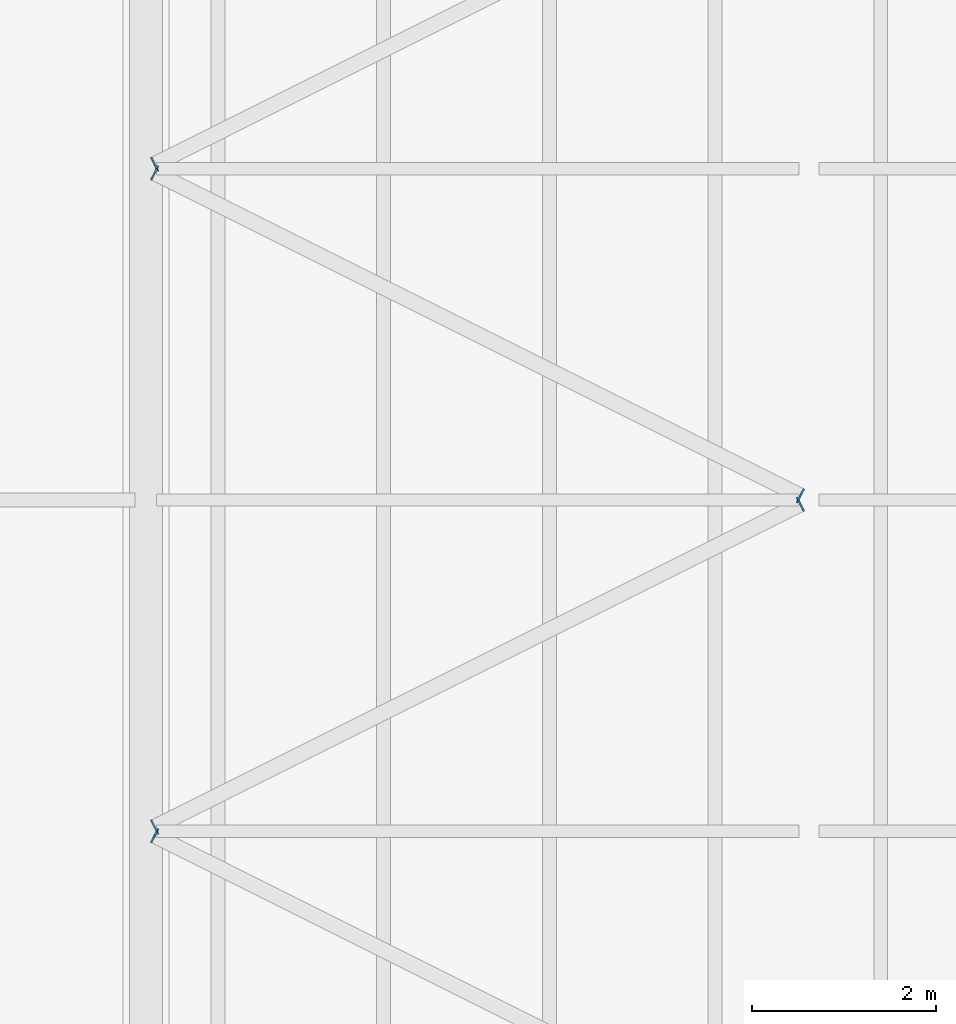
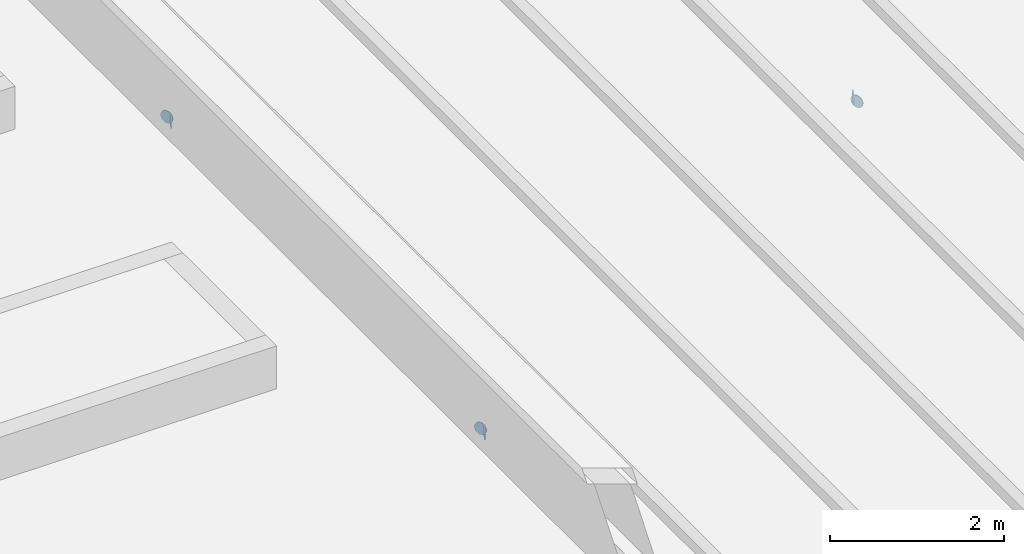
# One storey, part 71 of 110: 6 discrete accessories.
"""IFC4 building model written with IfcOpenShell, lengths in metres."""

from ifc_helpers import new_model, si_unit, direction, frame, origin, origin_2d, place, context, subcontext, project, spatial, circle, extrude, material, layer, layer_set, type_object, element, save


model = new_model("IFC4")

# Units and contexts
model_context = context("Model", 3, precision=1e-05, world=origin(), true_north=direction((0.0, 1.0)))
body_context = subcontext(model_context, "Body", "Model", "MODEL_VIEW")
ifc_project = project(units=[si_unit("LENGTHUNIT", "METRE"), si_unit("AREAUNIT", "SQUARE_METRE"), si_unit("VOLUMEUNIT", "CUBIC_METRE"), si_unit("PLANEANGLEUNIT", "RADIAN"), si_unit("MASSUNIT", "GRAM", prefix="KILO")], contexts=[model_context])

# Site, building, storey
site_placement = place(None, origin())
site = spatial("IfcSite", under=ifc_project, at=site_placement, CompositionType="ELEMENT")
building_placement = place(site_placement, origin())
building = spatial("IfcBuilding", under=site, at=building_placement, Name="Kupolbacken Congress Centre", CompositionType="ELEMENT")
storey_placement = place(building_placement, frame((0.0, 0.0, 18.0)))
storey = spatial("IfcBuildingStorey", under=building, at=storey_placement, Name="L05", CompositionType="ELEMENT", Elevation=18.0)

# Discrete accessories
ifc_material = material(Name="Steel S355", Category="steel")
ifc_layer = layer(ifc_material, 0.011962890625)
ifc_layer_set = layer_set([ifc_layer], Name="Steel S355")
discrete_accessory_type = type_object("IfcDiscreteAccessoryType", Name="EC2 tube end cap plate 168 dia x 12", PredefinedType="BRACKET", material=ifc_layer_set)
for number, where, z_axis, x_axis, name in (
    (1, (151.29833984375, 133.15087890625, -0.084228515625), (-0.894427191, 0.4472135955, 0.0), (-0.4472135955, -0.894427191, 0.0), "End cap plate BR/RB/01-02 B"),
    (2, (151.29833984375, 133.249267578125, -0.084228515625), (-0.894427191, -0.4472135955, 0.0), (0.4472135955, -0.894427191, 0.0), "End cap plate BR/RB/01-03 A"),
    (3, (158.301513671875, 136.750732421875, -0.084228515625), (0.894427191, 0.4472135955, 0.0), (-0.4472135955, 0.894427191, 0.0), "End cap plate BR/RB/01-03 B"),
    (4, (158.301513671875, 136.84912109375, -0.084228515625), (0.894427191, -0.4472135955, 0.0), (0.4472135955, 0.894427191, 0.0), "End cap plate BR/RB/01-04 A"),
    (5, (151.29833984375, 140.350830078125, -0.084228515625), (-0.894427191, 0.4472135955, 0.0), (-0.4472135955, -0.894427191, 0.0), "End cap plate BR/RB/01-04 B"),
    (6, (151.29833984375, 140.44921875, -0.084228515625), (-0.894427191, -0.4472135955, 0.0), (0.4472135955, -0.894427191, 0.0), "End cap plate BR/RB/01-05 A"),
):
    element("IfcDiscreteAccessory", number, at=place(storey_placement, frame(where, z_axis=z_axis, x_axis=x_axis)), inside=storey, type_object=discrete_accessory_type, Name=name, PredefinedType="BRACKET", context=body_context, shape_type="SweptSolid", body=[
        extrude(circle(Radius=0.084228515625, at=origin_2d()), origin(), (0.0, 0.0, 1.0), 0.011962890625),
    ])

save(model, "model.ifc")
